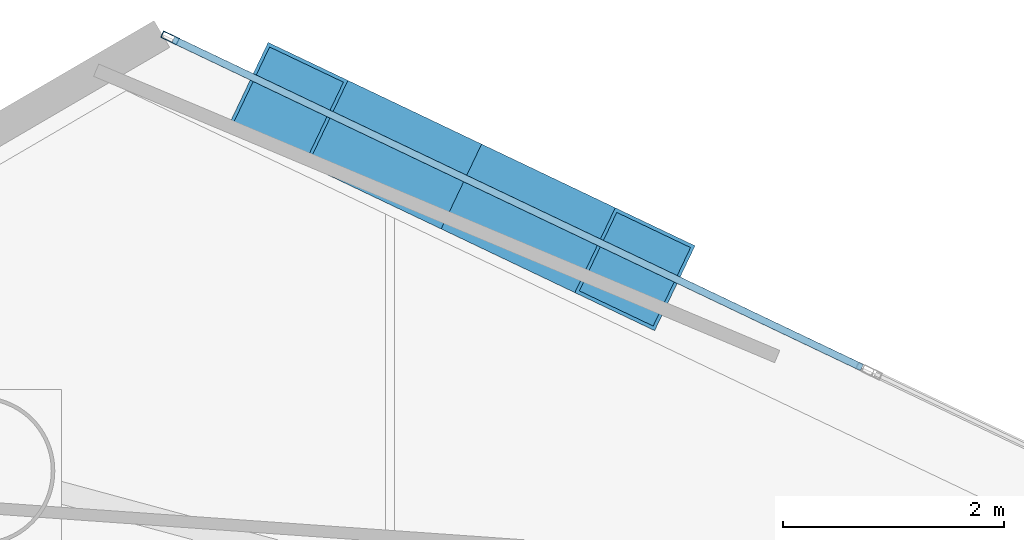
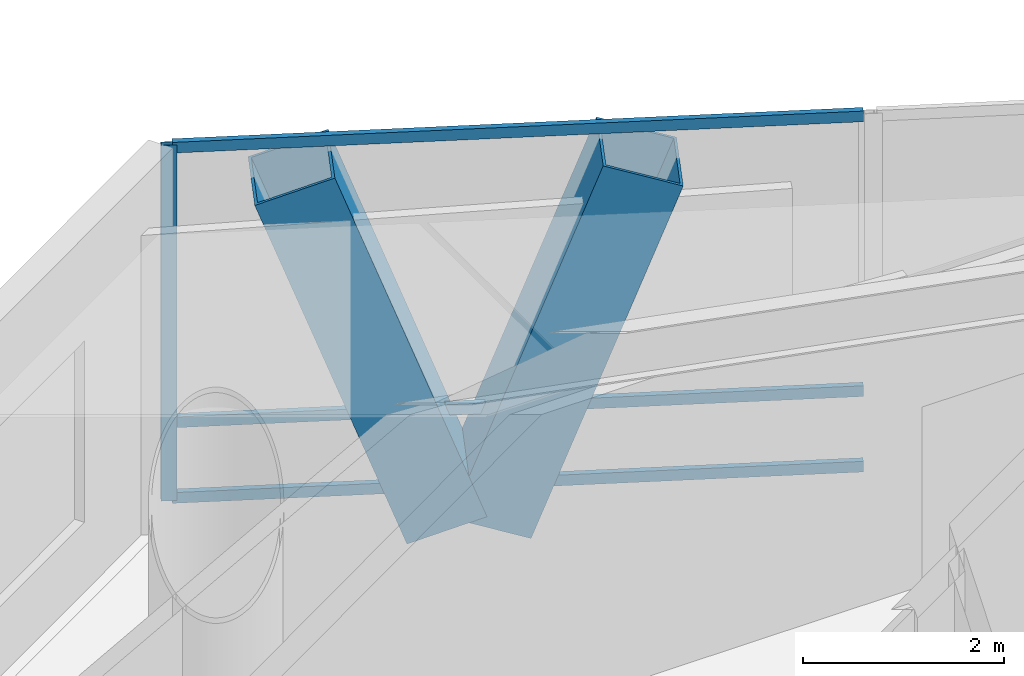
# One storey, part 14 of 21: 6 members, 1 element without a shape of its own.
"""IFC4 building model written with IfcOpenShell, lengths in metres."""

import ifcopenshell
import ifcopenshell.guid

model = None  # the IFC model being written
_history = None  # IfcOwnerHistory: only IFC2X3 demands one
_inside = {}  # id of a spatial element -> (the spatial element, [elements in it])
_under = {}  # id of a project, library or spatial element -> (it, [spatial elements below it])
_declared = {}  # id of a project -> (the project, [libraries it declares])
_typed = {}  # id of a type object -> (the type object, [elements of that type])
_made_of = {}  # id of a material, layer set ... -> (it, [elements and type objects made of it])


def new_model(schema):
    """Start an empty IFC model of exactly this schema.

    Asked for "IFC4X3", IfcOpenShell would pick the latest addendum, in which some entities
    have other attributes; the version numbers below select the first issue.
    IFC2X3 requires an IfcOwnerHistory on every rooted entity: one is made here for all.
    """
    global model, _history
    if schema == "IFC4X3":
        model = ifcopenshell.file(schema_version=(4, 3, 0, 0))
    else:
        model = ifcopenshell.file(schema=schema)
    _inside.clear()
    _under.clear()
    _declared.clear()
    _typed.clear()
    _made_of.clear()
    _history = None
    if model.schema == "IFC2X3":
        org = make("IfcOrganization", Name="unknown")
        user = make(
            "IfcPersonAndOrganization",
            ThePerson=make("IfcPerson", FamilyName="unknown"),
            TheOrganization=org,
        )
        app = make(
            "IfcApplication",
            ApplicationDeveloper=org,
            Version="unknown",
            ApplicationFullName="unknown",
            ApplicationIdentifier="unknown",
        )
        _history = make(
            "IfcOwnerHistory",
            OwningUser=user,
            OwningApplication=app,
            ChangeAction="ADDED",
            CreationDate=0,
        )
    return model


def make(cls, **values):
    """One entity of the class cls with the attributes given. An attribute that is None is left unset."""
    return model.create_entity(
        cls, **{name: value for name, value in values.items() if value is not None}
    )


def rooted(cls, **values):
    """An entity with a GlobalId (a new one), such as an element, a storey or a relation."""
    return make(cls, GlobalId=ifcopenshell.guid.new(), OwnerHistory=_history, **values)


def si_unit(unit_type, name, prefix=None):
    """IfcSIUnit, for example si_unit("LENGTHUNIT", "METRE", prefix="MILLI")."""
    return make("IfcSIUnit", UnitType=unit_type, Prefix=prefix, Name=name)


def assignment(units):
    """IfcUnitAssignment: the units of a project."""
    return None if units is None else make("IfcUnitAssignment", Units=units)


def point(xyz):
    """IfcCartesianPoint."""
    return None if xyz is None else make("IfcCartesianPoint", Coordinates=xyz)


def direction(xyz):
    """IfcDirection."""
    return None if xyz is None else make("IfcDirection", DirectionRatios=xyz)


def frame(location, z_axis=None, x_axis=None):
    """IfcAxis2Placement3D, a coordinate frame: its origin and axes. An axis left out is left unset."""
    return make(
        "IfcAxis2Placement3D",
        Location=point(location),
        Axis=direction(z_axis),
        RefDirection=direction(x_axis),
    )


def frame_2d(location, x_axis=None):
    """IfcAxis2Placement2D, a coordinate frame in the plane: its origin and x axis."""
    return make(
        "IfcAxis2Placement2D", Location=point(location), RefDirection=direction(x_axis)
    )


def origin():
    """The frame at (0, 0, 0) with its axes left unset."""
    return frame((0.0, 0.0, 0.0))


def origin_2d():
    """The frame at (0, 0) in the plane with its x axis left unset."""
    return frame_2d((0.0, 0.0))


def place(relative_to, where):
    """IfcLocalPlacement: puts the frame where relative to a parent placement (None: the world)."""
    return make(
        "IfcLocalPlacement", PlacementRelTo=relative_to, RelativePlacement=where
    )


def context(
    kind, dimensions, precision=None, world=None, true_north=None, identifier=None
):
    """IfcGeometricRepresentationContext, for example the 3D "Model" context."""
    return make(
        "IfcGeometricRepresentationContext",
        ContextIdentifier=identifier,
        ContextType=kind,
        CoordinateSpaceDimension=dimensions,
        Precision=precision,
        WorldCoordinateSystem=world,
        TrueNorth=true_north,
    )


def subcontext(parent, identifier, kind, view, scale=None):
    """IfcGeometricRepresentationSubContext, for example "Body" below "Model"."""
    return make(
        "IfcGeometricRepresentationSubContext",
        ContextIdentifier=identifier,
        ContextType=kind,
        ParentContext=parent,
        TargetScale=scale,
        TargetView=view,
    )


def project(units=None, contexts=None):
    """IfcProject with its units and contexts."""
    return rooted(
        "IfcProject",
        Name="project",
        RepresentationContexts=contexts,
        UnitsInContext=assignment(units),
    )


def spatial(cls, under=None, at=None, **own):
    """A site, building, storey or space (cls), placed at a placement, below another one or the project."""
    s = rooted(cls, ObjectPlacement=at, **own)
    if under is not None:
        _under.setdefault(under.id(), (under, []))[1].append(s)
    return s


def profile(cls, at=None, kind="AREA", **sizes):
    """A parametric profile (cls). Its sizes go by their IFC names, for example OverallWidth=200.0."""
    return make(cls, ProfileType=kind, Position=at, **sizes)


def hollow_rectangle(**sizes):
    """IfcRectangleHollowProfileDef."""
    return profile("IfcRectangleHollowProfileDef", **sizes)


def extrude(swept, where, along, depth):
    """IfcExtrudedAreaSolid: the profile swept, set in the frame where, extruded along a direction by depth."""
    return make(
        "IfcExtrudedAreaSolid",
        SweptArea=swept,
        Position=where,
        ExtrudedDirection=direction(along),
        Depth=depth,
    )


def shape(context_of_items, identifier, shape_type, items):
    """IfcShapeRepresentation: the items that make up one representation, for example the "Body"."""
    return make(
        "IfcShapeRepresentation",
        ContextOfItems=context_of_items,
        RepresentationIdentifier=identifier,
        RepresentationType=shape_type,
        Items=items,
    )


def material(Name=None, Category=None):
    """IfcMaterial."""
    return make("IfcMaterial", Name=Name, Category=Category)


def layer(
    of_material, thickness, ventilated=None, Name=None, Category=None, Priority=None
):
    """IfcMaterialLayer: one layer of a wall or slab, of a material (None: an air gap)."""
    return make(
        "IfcMaterialLayer",
        Material=of_material,
        LayerThickness=thickness,
        IsVentilated=ventilated,
        Name=Name,
        Category=Category,
        Priority=Priority,
    )


def layer_set(layers, Name=None):
    """IfcMaterialLayerSet."""
    return make("IfcMaterialLayerSet", MaterialLayers=layers, LayerSetName=Name)


def material_profile(
    of_material, cross_section, Name=None, Category=None, Priority=None
):
    """IfcMaterialProfile: a cross section and its material."""
    return make(
        "IfcMaterialProfile",
        Name=Name,
        Material=of_material,
        Profile=cross_section,
        Priority=Priority,
        Category=Category,
    )


def profile_set(profiles, Name=None, composite=None):
    """IfcMaterialProfileSet."""
    return make(
        "IfcMaterialProfileSet",
        Name=Name,
        MaterialProfiles=profiles,
        CompositeProfile=composite,
    )


def made_of(thing, what):
    """Note that an element or type object is made of a material, layer set ...; save() writes the relation."""
    if what is not None:
        _made_of.setdefault(what.id(), (what, []))[1].append(thing)
    return thing


def type_object(cls, material=None, **own):
    """A type object (cls), such as IfcWallType, which elements share."""
    return made_of(rooted(cls, **own), material)


def element(
    cls,
    number,
    at=None,
    inside=None,
    cuts=None,
    type_object=None,
    material=None,
    context=None,
    identifier="Body",
    shape_type=None,
    held_by="IfcProductDefinitionShape",
    body=None,
    shapes=None,
    **own,
):
    """One element of the class cls, such as IfcWall. Its Tag is "e" and its number.

    at: its placement. inside: the storey or other place that contains it. cuts: it is an
    opening in that element (IfcRelVoidsElement). A single representation is given by context,
    identifier, shape_type and body (its items); several are given by shapes. held_by: the class
    of the entity that holds the representations. save() writes the other relations.
    """
    e = rooted(cls, Tag="e%d" % number, ObjectPlacement=at, **own)
    if body is not None:
        shapes = [shape(context, identifier, shape_type, body)]
    if shapes is not None:
        e.Representation = make(held_by, Representations=shapes)
    if inside is not None:
        _inside.setdefault(inside.id(), (inside, []))[1].append(e)
    if cuts is not None:
        rooted(
            "IfcRelVoidsElement", RelatingBuildingElement=cuts, RelatedOpeningElement=e
        )
    if type_object is not None:
        _typed.setdefault(type_object.id(), (type_object, []))[1].append(e)
    return made_of(e, material)


def aggregate(whole, parts):
    """IfcRelAggregates: a whole, such as a stair, and the parts it consists of."""
    return rooted("IfcRelAggregates", RelatingObject=whole, RelatedObjects=parts)


def save(model, path):
    """Write the relations noted so far, then the file.

    IfcRelAggregates (storeys below a building ...), IfcRelContainedInSpatialStructure (elements
    in a storey), IfcRelDefinesByType, IfcRelAssociatesMaterial and IfcRelDeclares: one each for
    every whole, place, type object, material and project.
    """
    for whole, parts in _under.values():
        aggregate(whole, parts)
    for where, things in _inside.values():
        rooted(
            "IfcRelContainedInSpatialStructure",
            RelatedElements=things,
            RelatingStructure=where,
        )
    for kind, things in _typed.values():
        rooted("IfcRelDefinesByType", RelatedObjects=things, RelatingType=kind)
    for what, things in _made_of.values():
        rooted("IfcRelAssociatesMaterial", RelatedObjects=things, RelatingMaterial=what)
    for by, libraries in _declared.values():
        rooted("IfcRelDeclares", RelatingContext=by, RelatedDefinitions=libraries)
    model.write(path)


model = new_model("IFC4")

# Units and contexts
model_context = context("Model", 3, precision=1e-05, world=origin(), true_north=direction((0.0, 1.0)))
body_context = subcontext(model_context, "Body", "Model", "MODEL_VIEW")
ifc_project = project(units=[si_unit("LENGTHUNIT", "METRE"), si_unit("AREAUNIT", "SQUARE_METRE"), si_unit("VOLUMEUNIT", "CUBIC_METRE"), si_unit("PLANEANGLEUNIT", "RADIAN"), si_unit("MASSUNIT", "GRAM", prefix="KILO")], contexts=[model_context])

# Site, building, storey
site_placement = place(None, origin())
site = spatial("IfcSite", under=ifc_project, at=site_placement, CompositionType="ELEMENT")
building_placement = place(site_placement, origin())
building = spatial("IfcBuilding", under=site, at=building_placement, Name="Qianvela Tower", CompositionType="ELEMENT")
storey_placement = place(building_placement, frame((0.0, 0.0, 143.10009765625)))
storey = spatial("IfcBuildingStorey", under=building, at=storey_placement, Name="L36", CompositionType="ELEMENT", Elevation=143.10009765625)

# Curtain wall, members
ifc_material_1 = material(Name="Anodised Architectural Aluminium and Insulated Spandrel Panel", Category="aluminium")
ifc_layer = layer(ifc_material_1, 0.179931640625)
ifc_layer_set = layer_set([ifc_layer], Name="Anodised Architectural Aluminium and Insulated Spandrel Panel")
curtain_wall_type = type_object("IfcCurtainWallType", Name="CW-BRACEBAY", PredefinedType="USERDEFINED", material=ifc_layer_set)
curtain_wall_placement = place(storey_placement, origin())
curtain_wall = element("IfcCurtainWall", 1, at=curtain_wall_placement, inside=storey, type_object=curtain_wall_type, Name="L36 CW-BRACEBAY Curtain Wall 02B", ObjectType="CURTAIN_WALL_SYSTEM", PredefinedType="USERDEFINED")
ifc_material_2 = material(Name="Anodised Architectural Aluminium 6063-T6", Category="aluminium")
ifc_material_profile_1 = material_profile(ifc_material_2, hollow_rectangle(XDim=0.06494140625, YDim=0.159912109375, WallThickness=0.0048828125, at=origin_2d()), Name="ALU-MULL-65x160")
ifc_profile_set_1 = profile_set([ifc_material_profile_1], Name="Anodised Architectural Aluminium 6063-T6")
member_type_1 = type_object("IfcMemberType", Name="CW-BRACEBAY-MULL", PredefinedType="MULLION", material=ifc_profile_set_1)
member_1_placement = place(storey_placement, frame((29.952880859375, 43.326416015625, 0.0), z_axis=(0.0, 0.0, 1.0), x_axis=(-0.430086564081, -0.902787653547, 0.0)))
member_1 = element("IfcMember", 2, at=member_1_placement, type_object=member_type_1, Name="CW-9 mullion 2", PredefinedType="MULLION", context=body_context, shape_type="SweptSolid", body=[
    extrude(hollow_rectangle(XDim=0.06494140625, YDim=0.159912109375, WallThickness=0.0048828125, at=origin_2d()), origin(), (0.0, 0.0, 1.0), 4.31982421875),
])
ifc_material_3 = material(Name="Anodised Architectural Aluminium 6063-T6", Category="aluminium")
ifc_material_profile_2 = material_profile(ifc_material_3, hollow_rectangle(XDim=0.06494140625, YDim=0.1298828125, WallThickness=0.00439453125, at=origin_2d()), Name="ALU-TRAN-65x130")
ifc_profile_set_2 = profile_set([ifc_material_profile_2], Name="Anodised Architectural Aluminium 6063-T6")
member_type_2 = type_object("IfcMemberType", Name="CW-BRACEBAY-TRAN", PredefinedType="USERDEFINED", material=ifc_profile_set_2)
member_2_placement = place(storey_placement, frame((36.209716796875, 40.345458984375, 0.032470703125), z_axis=(-0.902787235111, 0.430087442413, 0.0), x_axis=(-0.430087442413, -0.902787235111, 0.0)))
member_2 = element("IfcMember", 3, at=member_2_placement, type_object=member_type_2, Name="CW-9 transom 1.1", ObjectType="TRANSOM", PredefinedType="USERDEFINED", context=body_context, shape_type="SweptSolid", body=[
    extrude(hollow_rectangle(XDim=0.06494140625, YDim=0.1298828125, WallThickness=0.00439453125, at=origin_2d()), origin(), (0.0, 0.0, 1.0), 6.898193359375),
])
member_3_placement = place(storey_placement, frame((36.209716796875, 40.345458984375, 0.949951171875), z_axis=(-0.902787235111, 0.430087442413, 0.0), x_axis=(-0.430087442413, -0.902787235111, 0.0)))
member_3 = element("IfcMember", 4, at=member_3_placement, type_object=member_type_2, Name="CW-9 transom 1.2", ObjectType="TRANSOM", PredefinedType="USERDEFINED", context=body_context, shape_type="SweptSolid", body=[
    extrude(hollow_rectangle(XDim=0.06494140625, YDim=0.1298828125, WallThickness=0.00439453125, at=origin_2d()), origin(), (0.0, 0.0, 1.0), 6.898193359375),
])
member_4_placement = place(storey_placement, frame((36.209716796875, 40.345458984375, 4.287353515625), z_axis=(-0.902787235111, 0.430087442413, 0.0), x_axis=(-0.430087442413, -0.902787235111, 0.0)))
member_4 = element("IfcMember", 5, at=member_4_placement, type_object=member_type_2, Name="CW-9 transom 1.3", ObjectType="TRANSOM", PredefinedType="USERDEFINED", context=body_context, shape_type="SweptSolid", body=[
    extrude(hollow_rectangle(XDim=0.06494140625, YDim=0.1298828125, WallThickness=0.00439453125, at=origin_2d()), origin(), (0.0, 0.0, 1.0), 6.898193359375),
])
aggregate(curtain_wall, [member_1, member_2, member_3, member_4])

# Members
ifc_material_4 = material(Name="Steel Q420GJC", Category="steel")
ifc_material_profile_3 = material_profile(ifc_material_4, hollow_rectangle(XDim=0.85009765625, YDim=0.85009765625, WallThickness=0.031982421875, at=origin_2d()), Name="MBOX-850x850x32")
ifc_profile_set_3 = profile_set([ifc_material_profile_3], Name="Steel Q420GJC")
member_type_3 = type_object("IfcMemberType", Name="MBR-MBRACE-850", PredefinedType="BRACE", material=ifc_profile_set_3)
for number, where, z_axis, x_axis, name in (
    (6, (32.7861328125, 41.887939453125, -0.18017578125), (0.307124490191, -0.146343507078, 0.940350001574), (0.4301581965, 0.902753524493, 0.0), "L36 Tier 6 Exterior Mega-Brace F1A"),
    (7, (32.388916015625, 42.0771484375, -0.18017578125), (-0.307174017938, 0.146341048959, 0.940334206595), (-0.430095782269, -0.90278326196, 0.0), "L36 Tier 6 Exterior Mega-Brace F1B"),
):
    element("IfcMember", number, at=place(storey_placement, frame(where, z_axis=z_axis, x_axis=x_axis)), inside=storey, type_object=member_type_3, Name=name, PredefinedType="BRACE", context=body_context, shape_type="SweptSolid", body=[
        extrude(hollow_rectangle(XDim=0.85009765625, YDim=0.85009765625, WallThickness=0.031982421875, at=origin_2d()), origin(), (0.0, 0.0, 1.0), 4.46435546875),
    ])

save(model, "model.ifc")
